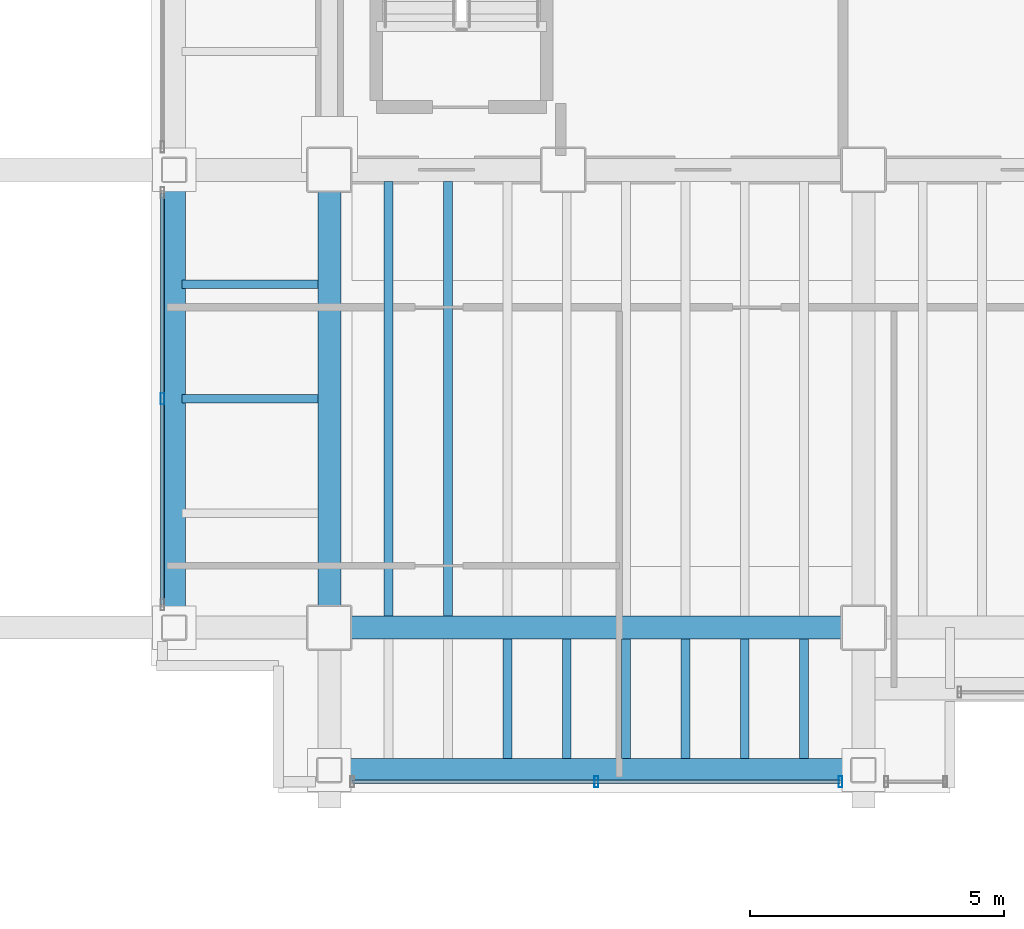
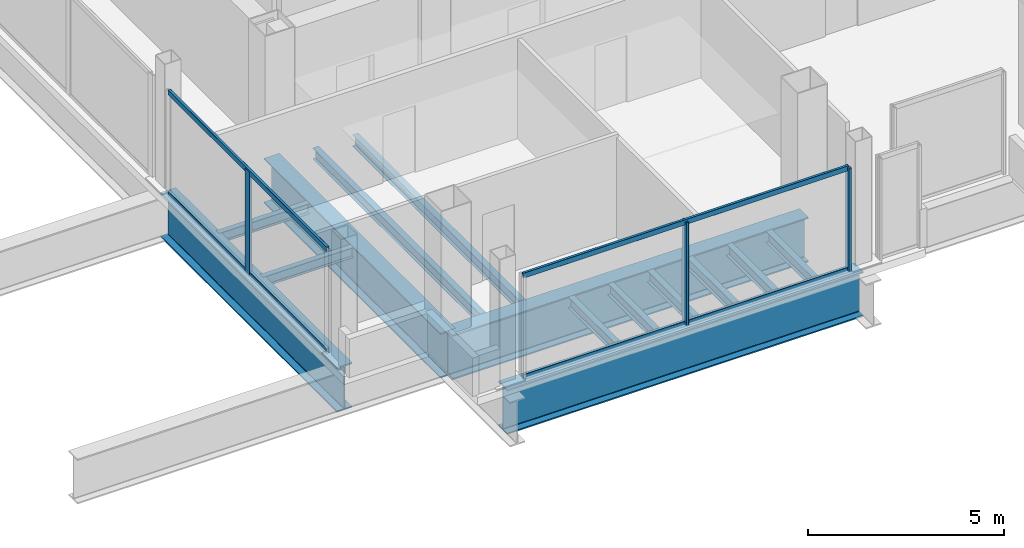
# One storey, part 3 of 19: 14 beams, 7 members, 2 elements without a shape of their own.
"""IFC4 building model written with IfcOpenShell, lengths in metres."""

from ifc_helpers import new_model, si_unit, direction, frame, origin, origin_2d, place, context, subcontext, project, spatial, hollow_rectangle, i_section, extrude, material, material_profile, profile_set, type_object, element, aggregate, save


model = new_model("IFC4")

# Units and contexts
model_context = context("Model", 3, precision=1e-05, world=origin(), true_north=direction((0.0, 1.0)))
body_context = subcontext(model_context, "Body", "Model", "MODEL_VIEW")
ifc_project = project(units=[si_unit("LENGTHUNIT", "METRE"), si_unit("AREAUNIT", "SQUARE_METRE"), si_unit("VOLUMEUNIT", "CUBIC_METRE"), si_unit("PLANEANGLEUNIT", "RADIAN"), si_unit("MASSUNIT", "GRAM", prefix="KILO")], contexts=[model_context])

# Site, building, storey
site_placement = place(None, origin())
site = spatial("IfcSite", under=ifc_project, at=site_placement, CompositionType="ELEMENT")
building_placement = place(site_placement, origin())
building = spatial("IfcBuilding", under=site, at=building_placement, Name="Noeulbin Bourse Tower", CompositionType="ELEMENT")
storey_placement = place(building_placement, frame((0.0, 0.0, 169.5)))
storey = spatial("IfcBuildingStorey", under=building, at=storey_placement, Name="L42", CompositionType="ELEMENT", Elevation=169.5)

# Beams
ifc_material_1 = material(Name="Steel S355", Category="steel")
ifc_material_profile_1 = material_profile(ifc_material_1, i_section(OverallWidth=0.159912109375, OverallDepth=0.320068359375, WebThickness=0.006591796875, FlangeThickness=0.010009765625, FilletRadius=0.012939453125, at=origin_2d()), Name="H-320x160x6.5x10", Category="LoadBearing")
ifc_profile_set_1 = profile_set([ifc_material_profile_1], Name="Steel S355")
beam_type_1 = type_object("IfcBeamType", Name="BM-JST-320", PredefinedType="JOIST", material=ifc_profile_set_1)
for number, where, z_axis, x_axis, name in (
    (1, (10.60009765625, 24.5, -0.39990234375), (1.0, 0.0, 0.0), (0.0, 1.0, 0.0), "Wing Composite Joist L42-W66"),
    (2, (10.60009765625, 26.75, -0.39990234375), (1.0, 0.0, 0.0), (0.0, 1.0, 0.0), "Wing Composite Joist L42-W67"),
):
    element("IfcBeam", number, at=place(storey_placement, frame(where, z_axis=z_axis, x_axis=x_axis)), inside=storey, type_object=beam_type_1, Name=name, PredefinedType="JOIST", context=body_context, shape_type="SweptSolid", body=[
        extrude(i_section(OverallWidth=0.159912109375, OverallDepth=0.320068359375, WebThickness=0.006591796875, FlangeThickness=0.010009765625, FilletRadius=0.012939453125, at=origin_2d()), origin(), (0.0, 0.0, 1.0), 2.6748046875),
    ])
ifc_material_profile_2 = material_profile(ifc_material_1, i_section(OverallWidth=0.175048828125, OverallDepth=0.35009765625, WebThickness=0.007080078125, FlangeThickness=0.010986328125, FilletRadius=0.013916015625, at=origin_2d()), Name="H-350x175x7x11", Category="LoadBearing")
ifc_profile_set_2 = profile_set([ifc_material_profile_2], Name="Steel S355")
beam_type_2 = type_object("IfcBeamType", Name="BM-JST-350", PredefinedType="JOIST", material=ifc_profile_set_2)
for number, where, z_axis, x_axis, name in (
    (3, (14.666748046875, 20.22509765625, -0.4150390625), (0.0, 1.0, 0.0), (-1.0, 0.0, 0.0), "Tower Composite Joist L42-02"),
    (4, (15.833251953125, 20.22509765625, -0.4150390625), (0.0, 1.0, 0.0), (-1.0, 0.0, 0.0), "Tower Composite Joist L42-05"),
):
    element("IfcBeam", number, at=place(storey_placement, frame(where, z_axis=z_axis, x_axis=x_axis)), inside=storey, type_object=beam_type_2, Name=name, PredefinedType="JOIST", context=body_context, shape_type="SweptSolid", body=[
        extrude(i_section(OverallWidth=0.175048828125, OverallDepth=0.35009765625, WebThickness=0.007080078125, FlangeThickness=0.010986328125, FilletRadius=0.013916015625, at=origin_2d()), origin(), (0.0, 0.0, 1.0), 8.5498046875),
    ])
for number, where, z_axis, x_axis, name in (
    (5, (17.0, 17.425048828125, -0.4150390625), (0.0, 1.0, 0.0), (-1.0, 0.0, 0.0), "Tower Composite Joist L42-07"),
    (6, (18.166748046875, 17.425048828125, -0.4150390625), (0.0, 1.0, 0.0), (-1.0, 0.0, 0.0), "Tower Composite Joist L42-10"),
    (7, (19.333251953125, 17.425048828125, -0.4150390625), (0.0, 1.0, 0.0), (-1.0, 0.0, 0.0), "Tower Composite Joist L42-13"),
    (8, (20.5, 17.425048828125, -0.4150390625), (0.0, 1.0, 0.0), (-1.0, 0.0, 0.0), "Tower Composite Joist L42-16"),
    (9, (21.666748046875, 17.425048828125, -0.4150390625), (0.0, 1.0, 0.0), (-1.0, 0.0, 0.0), "Tower Composite Joist L42-19"),
    (10, (22.833251953125, 17.425048828125, -0.4150390625), (0.0, 1.0, 0.0), (-1.0, 0.0, 0.0), "Tower Composite Joist L42-22"),
):
    element("IfcBeam", number, at=place(storey_placement, frame(where, z_axis=z_axis, x_axis=x_axis)), inside=storey, type_object=beam_type_2, Name=name, PredefinedType="JOIST", context=body_context, shape_type="SweptSolid", body=[
        extrude(i_section(OverallWidth=0.175048828125, OverallDepth=0.35009765625, WebThickness=0.007080078125, FlangeThickness=0.010986328125, FilletRadius=0.013916015625, at=origin_2d()), origin(), (0.0, 0.0, 1.0), 2.349853515625),
    ])
ifc_material_2 = material(Name="Steel S460", Category="steel")
ifc_material_profile_3 = material_profile(ifc_material_2, i_section(OverallWidth=0.449951171875, OverallDepth=1.39990234375, WebThickness=0.02392578125, FlangeThickness=0.0400390625, FilletRadius=0.02392578125, at=origin_2d()), Name="PG-1400x450x24x40", Category="LoadBearing")
ifc_profile_set_3 = profile_set([ifc_material_profile_3], Name="Steel S460")
beam_type_3 = type_object("IfcBeamType", Name="BM-TRF-1400", PredefinedType="USERDEFINED", material=ifc_profile_set_3)
beam_1_placement = place(storey_placement, frame((13.5, 20.0, -0.93994140625), z_axis=(1.0, 0.0, 0.0), x_axis=(0.0, 1.0, 0.0)))
element("IfcBeam", 11, at=beam_1_placement, inside=storey, type_object=beam_type_3, Name="Tower Primary Girder EW L42-1.2", ObjectType="GIRDER", PredefinedType="USERDEFINED", context=body_context, shape_type="SweptSolid", body=[
    extrude(i_section(OverallWidth=0.449951171875, OverallDepth=1.39990234375, WebThickness=0.02392578125, FlangeThickness=0.0400390625, FilletRadius=0.02392578125, at=origin_2d()), origin(), (0.0, 0.0, 1.0), 10.5),
])
beam_2_placement = place(storey_placement, frame((13.5, 20.0, -0.93994140625), z_axis=(0.0, 1.0, 0.0), x_axis=(-1.0, 0.0, 0.0)))
element("IfcBeam", 12, at=beam_2_placement, inside=storey, type_object=beam_type_3, Name="Tower Primary Girder NS L42-1.2", ObjectType="GIRDER", PredefinedType="USERDEFINED", context=body_context, shape_type="SweptSolid", body=[
    extrude(i_section(OverallWidth=0.449951171875, OverallDepth=1.39990234375, WebThickness=0.02392578125, FlangeThickness=0.0400390625, FilletRadius=0.02392578125, at=origin_2d()), origin(), (0.0, 0.0, 1.0), 9.0),
])
beam_3_placement = place(storey_placement, frame((13.5, 17.199951171875, -0.93994140625), z_axis=(1.0, 0.0, 0.0), x_axis=(0.0, 1.0, 0.0)))
element("IfcBeam", 13, at=beam_3_placement, inside=storey, type_object=beam_type_3, Name="South Spandrel L42-1", ObjectType="GIRDER", PredefinedType="USERDEFINED", context=body_context, shape_type="SweptSolid", body=[
    extrude(i_section(OverallWidth=0.449951171875, OverallDepth=1.39990234375, WebThickness=0.02392578125, FlangeThickness=0.0400390625, FilletRadius=0.02392578125, at=origin_2d()), origin(), (0.0, 0.0, 1.0), 10.5),
])
beam_4_placement = place(storey_placement, frame((10.449951171875, 20.0, -0.93994140625), z_axis=(0.0, 1.0, 0.0), x_axis=(-1.0, 0.0, 0.0)))
element("IfcBeam", 14, at=beam_4_placement, inside=storey, type_object=beam_type_3, Name="West Spandrel L42-1", ObjectType="GIRDER", PredefinedType="USERDEFINED", context=body_context, shape_type="SweptSolid", body=[
    extrude(i_section(OverallWidth=0.449951171875, OverallDepth=1.39990234375, WebThickness=0.02392578125, FlangeThickness=0.0400390625, FilletRadius=0.02392578125, at=origin_2d()), origin(), (0.0, 0.0, 1.0), 9.0),
])

# Curtain wall, members
ifc_material_3 = material(Name="Dark Tinted Triple Glazing", Category="glass")
curtain_wall_type = type_object("IfcCurtainWallType", Name="CW-SYS-3", PredefinedType="NOTDEFINED", material=ifc_material_3)
curtain_wall_1_placement = place(storey_placement, origin())
curtain_wall_1 = element("IfcCurtainWall", 15, at=curtain_wall_1_placement, inside=storey, type_object=curtain_wall_type, Name="Unitised Curtain Wall CW-L42-S1-S1", PredefinedType="NOTDEFINED")
ifc_material_4 = material(Name="Anodised Aluminium 6063-T6", Category="aluminium")
ifc_material_profile_4 = material_profile(ifc_material_4, hollow_rectangle(XDim=0.074951171875, YDim=0.219970703125, WallThickness=0.0048828125, InnerFilletRadius=0.00244140625, OuterFilletRadius=0.0048828125, at=origin_2d()), Name="ALU-MULL-75x220x5", Category="LoadBearing")
ifc_profile_set_4 = profile_set([ifc_material_profile_4], Name="Anodised Aluminium 6063-T6")
member_type_1 = type_object("IfcMemberType", Name="CW-SYS-3-MUL", PredefinedType="MULLION", material=ifc_profile_set_4)
member_1_placement = place(storey_placement, frame((18.75, 16.969970703125, -0.02001953125), z_axis=(0.0, 0.0, 1.0), x_axis=(1.0, 0.0, 0.0)))
member_1 = element("IfcMember", 16, at=member_1_placement, type_object=member_type_1, Name="Curtain Wall Mullion CW-L42-S1-S1-M01", PredefinedType="MULLION", context=body_context, shape_type="SweptSolid", body=[
    extrude(hollow_rectangle(XDim=0.074951171875, YDim=0.219970703125, WallThickness=0.0048828125, InnerFilletRadius=0.00244140625, OuterFilletRadius=0.0048828125, at=origin_2d()), origin(), (0.0, 0.0, 1.0), 3.219970703125),
])
member_2_placement = place(storey_placement, frame((23.550048828125, 16.969970703125, -0.02001953125), z_axis=(0.0, 0.0, 1.0), x_axis=(1.0, 0.0, 0.0)))
member_2 = element("IfcMember", 17, at=member_2_placement, type_object=member_type_1, Name="Curtain Wall Mullion CW-L42-S1-S1-M02", PredefinedType="MULLION", context=body_context, shape_type="SweptSolid", body=[
    extrude(hollow_rectangle(XDim=0.074951171875, YDim=0.219970703125, WallThickness=0.0048828125, InnerFilletRadius=0.00244140625, OuterFilletRadius=0.0048828125, at=origin_2d()), origin(), (0.0, 0.0, 1.0), 3.219970703125),
])

# Curtain wall, member
curtain_wall_2_placement = place(storey_placement, origin())
curtain_wall_2 = element("IfcCurtainWall", 18, at=curtain_wall_2_placement, inside=storey, type_object=curtain_wall_type, Name="Unitised Curtain Wall CW-L42-W-S1", PredefinedType="NOTDEFINED")
member_3_placement = place(storey_placement, frame((10.219970703125, 24.5, -0.02001953125), z_axis=(0.0, 0.0, 1.0), x_axis=(1.0, 0.0, 0.0)))
member_3 = element("IfcMember", 19, at=member_3_placement, type_object=member_type_1, Name="Curtain Wall Mullion CW-L42-W-S1-M01", PredefinedType="MULLION", context=body_context, shape_type="SweptSolid", body=[
    extrude(hollow_rectangle(XDim=0.074951171875, YDim=0.219970703125, WallThickness=0.0048828125, InnerFilletRadius=0.00244140625, OuterFilletRadius=0.0048828125, at=origin_2d()), origin(), (0.0, 0.0, 1.0), 3.219970703125),
])

# Member
ifc_material_profile_5 = material_profile(ifc_material_4, hollow_rectangle(XDim=0.074951171875, YDim=0.159912109375, WallThickness=0.0048828125, InnerFilletRadius=0.00244140625, OuterFilletRadius=0.0048828125, at=origin_2d()), Name="ALU-TRAN-75x160x5", Category="LoadBearing")
ifc_profile_set_5 = profile_set([ifc_material_profile_5], Name="Anodised Aluminium 6063-T6")
member_type_2 = type_object("IfcMemberType", Name="CW-SYS-3-TRN", PredefinedType="USERDEFINED", material=ifc_profile_set_5)
member_4_placement = place(storey_placement, frame((13.9599609375, 16.969970703125, 0.010009765625), z_axis=(1.0, 0.0, 0.0), x_axis=(0.0, 1.0, 0.0)))
member_4 = element("IfcMember", 20, at=member_4_placement, type_object=member_type_2, Name="Curtain Wall Transom CW-L42-S1-S1-T00", ObjectType="TRANSOM", PredefinedType="USERDEFINED", context=body_context, shape_type="SweptSolid", body=[
    extrude(hollow_rectangle(XDim=0.074951171875, YDim=0.159912109375, WallThickness=0.0048828125, InnerFilletRadius=0.00244140625, OuterFilletRadius=0.0048828125, at=origin_2d()), origin(), (0.0, 0.0, 1.0), 9.580078125),
])

member_5_placement = place(storey_placement, frame((13.9599609375, 16.969970703125, 3.169921875), z_axis=(1.0, 0.0, 0.0), x_axis=(0.0, 1.0, 0.0)))
member_5 = element("IfcMember", 21, at=member_5_placement, type_object=member_type_2, Name="Curtain Wall Transom CW-L42-S1-S1-T01", ObjectType="TRANSOM", PredefinedType="USERDEFINED", context=body_context, shape_type="SweptSolid", body=[
    extrude(hollow_rectangle(XDim=0.074951171875, YDim=0.159912109375, WallThickness=0.0048828125, InnerFilletRadius=0.00244140625, OuterFilletRadius=0.0048828125, at=origin_2d()), origin(), (0.0, 0.0, 1.0), 9.580078125),
])

aggregate(curtain_wall_1, [member_1, member_2, member_4, member_5])

member_6_placement = place(storey_placement, frame((10.219970703125, 20.4599609375, 0.010009765625), z_axis=(0.0, 1.0, 0.0), x_axis=(-1.0, 0.0, 0.0)))
member_6 = element("IfcMember", 22, at=member_6_placement, type_object=member_type_2, Name="Curtain Wall Transom CW-L42-W-S1-T00", ObjectType="TRANSOM", PredefinedType="USERDEFINED", context=body_context, shape_type="SweptSolid", body=[
    extrude(hollow_rectangle(XDim=0.074951171875, YDim=0.159912109375, WallThickness=0.0048828125, InnerFilletRadius=0.00244140625, OuterFilletRadius=0.0048828125, at=origin_2d()), origin(), (0.0, 0.0, 1.0), 8.080078125),
])

member_7_placement = place(storey_placement, frame((10.219970703125, 20.4599609375, 3.169921875), z_axis=(0.0, 1.0, 0.0), x_axis=(-1.0, 0.0, 0.0)))
member_7 = element("IfcMember", 23, at=member_7_placement, type_object=member_type_2, Name="Curtain Wall Transom CW-L42-W-S1-T01", ObjectType="TRANSOM", PredefinedType="USERDEFINED", context=body_context, shape_type="SweptSolid", body=[
    extrude(hollow_rectangle(XDim=0.074951171875, YDim=0.159912109375, WallThickness=0.0048828125, InnerFilletRadius=0.00244140625, OuterFilletRadius=0.0048828125, at=origin_2d()), origin(), (0.0, 0.0, 1.0), 8.080078125),
])

aggregate(curtain_wall_2, [member_3, member_6, member_7])

save(model, "model.ifc")
